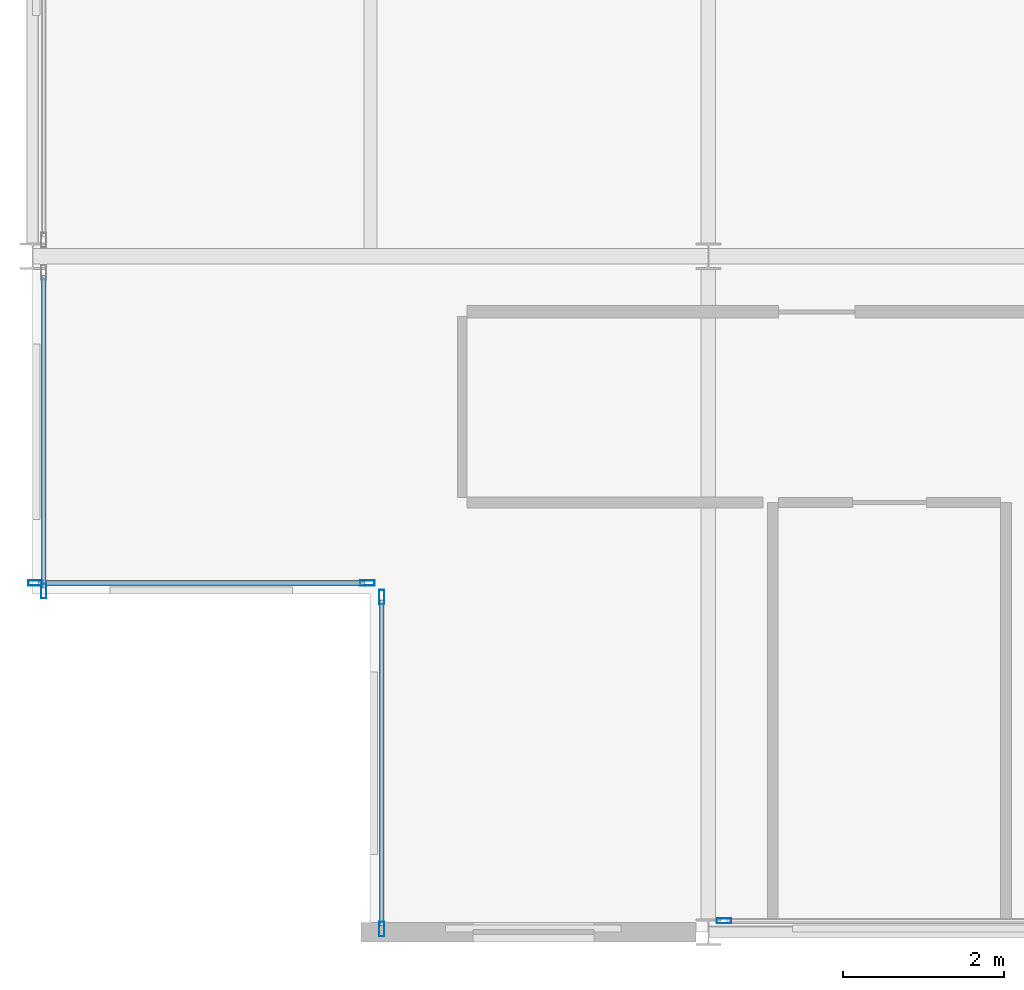
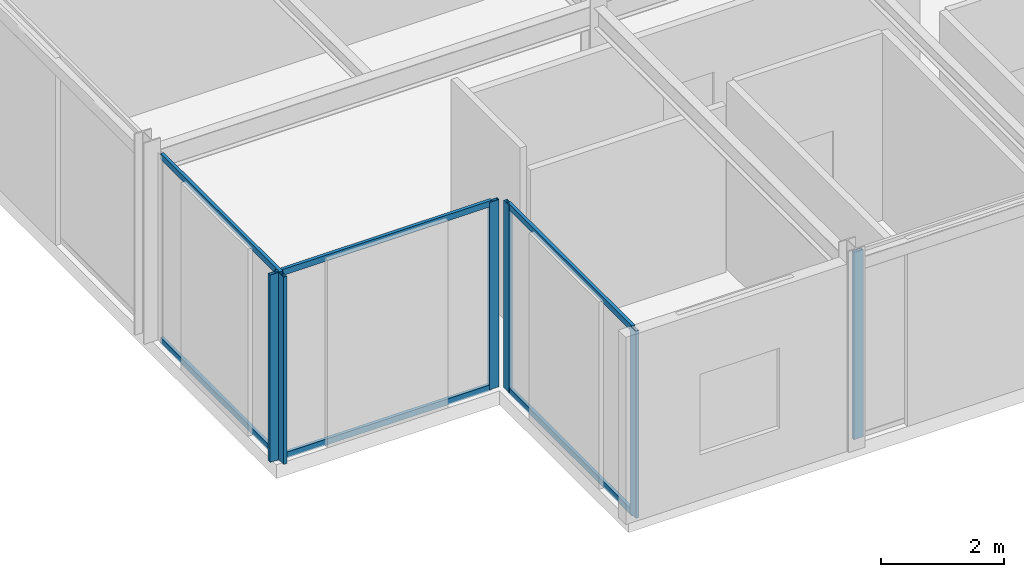
# One storey, part 3 of 24: 12 members, 4 elements without a shape of their own.
"""IFC4 building model written with IfcOpenShell, lengths in metres."""

from ifc_helpers import new_model, si_unit, direction, frame, origin, origin_2d, place, context, subcontext, project, spatial, hollow_rectangle, extrude, material, layer, layer_set, material_profile, profile_set, type_object, element, aggregate, save


model = new_model("IFC4")

# Units and contexts
model_context = context("Model", 3, precision=1e-05, world=origin(), true_north=direction((0.0, 1.0)))
body_context = subcontext(model_context, "Body", "Model", "MODEL_VIEW")
ifc_project = project(units=[si_unit("LENGTHUNIT", "METRE"), si_unit("AREAUNIT", "SQUARE_METRE"), si_unit("VOLUMEUNIT", "CUBIC_METRE"), si_unit("PLANEANGLEUNIT", "RADIAN"), si_unit("MASSUNIT", "GRAM", prefix="KILO")], contexts=[model_context])

# Site, building, storey
site_placement = place(None, origin())
site = spatial("IfcSite", under=ifc_project, at=site_placement, CompositionType="ELEMENT")
building_placement = place(site_placement, origin())
building = spatial("IfcBuilding", under=site, at=building_placement, Name="Nerrivon Quay Data Exchange", CompositionType="ELEMENT")
storey_placement = place(building_placement, frame((0.0, 0.0, 298.199951171875)))
storey = spatial("IfcBuildingStorey", under=building, at=storey_placement, Name="L71", CompositionType="ELEMENT", Elevation=298.199951171875)

# Curtain wall, member
ifc_material = material(Name="Anodised aluminium 6063-T6", Category="aluminium")
ifc_layer = layer(ifc_material, 0.195068359375)
ifc_layer_set = layer_set([ifc_layer], Name="Anodised aluminium 6063-T6")
curtain_wall_type = type_object("IfcCurtainWallType", Name="CW-SYS-06", PredefinedType="NOTDEFINED", material=ifc_layer_set)
curtain_wall_1_placement = place(storey_placement, origin())
curtain_wall_1 = element("IfcCurtainWall", 1, at=curtain_wall_1_placement, inside=storey, type_object=curtain_wall_type, Name="L71 Unitised Curtain Wall 4", PredefinedType="NOTDEFINED")
ifc_material_profile_1 = material_profile(ifc_material, hollow_rectangle(XDim=0.06494140625, YDim=0.179931640625, WallThickness=0.00341796875, at=origin_2d()), Name="ALU-MULL-180x65")
ifc_profile_set_1 = profile_set([ifc_material_profile_1], Name="Anodised aluminium 6063-T6")
member_type_1 = type_object("IfcMemberType", Name="CWM-180x65", PredefinedType="MULLION", material=ifc_profile_set_1)
member_1_placement = place(storey_placement, frame((8.593017578125, 0.139892578125, 0.0), z_axis=(0.0, 0.0, 1.0), x_axis=(0.0, -1.0, 0.0)))
member_1 = element("IfcMember", 2, at=member_1_placement, type_object=member_type_1, Name="CW06 mullion 2", PredefinedType="MULLION", context=body_context, shape_type="SweptSolid", body=[
    extrude(hollow_rectangle(XDim=0.06494140625, YDim=0.179931640625, WallThickness=0.00341796875, at=origin_2d()), origin(), (0.0, 0.0, 1.0), 3.72509765625),
])
aggregate(curtain_wall_1, [member_1])

# Curtain wall, members
curtain_wall_2_placement = place(storey_placement, origin())
curtain_wall_2 = element("IfcCurtainWall", 3, at=curtain_wall_2_placement, inside=storey, type_object=curtain_wall_type, Name="L71 Unitised Curtain Wall 6", PredefinedType="NOTDEFINED")
member_2_placement = place(storey_placement, frame((4.340087890625, 0.03759765625, 0.0), z_axis=(0.0, 0.0, 1.0), x_axis=(-1.0, 0.0, 0.0)))
member_2 = element("IfcMember", 4, at=member_2_placement, type_object=member_type_1, Name="CW06 mullion 1", PredefinedType="MULLION", context=body_context, shape_type="SweptSolid", body=[
    extrude(hollow_rectangle(XDim=0.06494140625, YDim=0.179931640625, WallThickness=0.00341796875, at=origin_2d()), origin(), (0.0, 0.0, 1.0), 3.72509765625),
])
member_3_placement = place(storey_placement, frame((4.340087890625, 4.16259765625, 0.0), z_axis=(0.0, 0.0, 1.0), x_axis=(-1.0, 0.0, 0.0)))
member_3 = element("IfcMember", 5, at=member_3_placement, type_object=member_type_1, Name="CW06 mullion 2", PredefinedType="MULLION", context=body_context, shape_type="SweptSolid", body=[
    extrude(hollow_rectangle(XDim=0.06494140625, YDim=0.179931640625, WallThickness=0.00341796875, at=origin_2d()), origin(), (0.0, 0.0, 1.0), 3.72509765625),
])

curtain_wall_3_placement = place(storey_placement, origin())
curtain_wall_3 = element("IfcCurtainWall", 6, at=curtain_wall_3_placement, inside=storey, type_object=curtain_wall_type, Name="L71 Unitised Curtain Wall 7", PredefinedType="NOTDEFINED")
member_4_placement = place(storey_placement, frame((4.16259765625, 4.340087890625, 0.0), z_axis=(0.0, 0.0, 1.0), x_axis=(0.0, -1.0, 0.0)))
member_4 = element("IfcMember", 7, at=member_4_placement, type_object=member_type_1, Name="CW06 mullion 1", PredefinedType="MULLION", context=body_context, shape_type="SweptSolid", body=[
    extrude(hollow_rectangle(XDim=0.06494140625, YDim=0.179931640625, WallThickness=0.00341796875, at=origin_2d()), origin(), (0.0, 0.0, 1.0), 3.72509765625),
])
member_5_placement = place(storey_placement, frame((0.03759765625, 4.340087890625, 0.0), z_axis=(0.0, 0.0, 1.0), x_axis=(0.0, -1.0, 0.0)))
member_5 = element("IfcMember", 8, at=member_5_placement, type_object=member_type_1, Name="CW06 mullion 2", PredefinedType="MULLION", context=body_context, shape_type="SweptSolid", body=[
    extrude(hollow_rectangle(XDim=0.06494140625, YDim=0.179931640625, WallThickness=0.00341796875, at=origin_2d()), origin(), (0.0, 0.0, 1.0), 3.72509765625),
])

# Curtain wall, member
curtain_wall_4_placement = place(storey_placement, origin())
curtain_wall_4 = element("IfcCurtainWall", 9, at=curtain_wall_4_placement, inside=storey, type_object=curtain_wall_type, Name="L71 Unitised Curtain Wall 8", PredefinedType="NOTDEFINED")
member_6_placement = place(storey_placement, frame((0.139892578125, 4.237548828125, 0.0), z_axis=(0.0, 0.0, 1.0), x_axis=(-1.0, 0.0, 0.0)))
member_6 = element("IfcMember", 10, at=member_6_placement, type_object=member_type_1, Name="CW06 mullion 1", PredefinedType="MULLION", context=body_context, shape_type="SweptSolid", body=[
    extrude(hollow_rectangle(XDim=0.06494140625, YDim=0.179931640625, WallThickness=0.00341796875, at=origin_2d()), origin(), (0.0, 0.0, 1.0), 3.72509765625),
])

# Member
ifc_material_profile_2 = material_profile(ifc_material, hollow_rectangle(XDim=0.06005859375, YDim=0.1201171875, WallThickness=0.003173828125, at=origin_2d()), Name="ALU-TRAN-120x60")
ifc_profile_set_2 = profile_set([ifc_material_profile_2], Name="Anodised aluminium 6063-T6")
member_type_2 = type_object("IfcMemberType", Name="CWT-120x60", PredefinedType="USERDEFINED", material=ifc_profile_set_2)
member_7_placement = place(storey_placement, frame((4.340087890625, 0.074951171875, 0.032470703125), z_axis=(0.0, 1.0, 0.0), x_axis=(-1.0, 0.0, 0.0)))
member_7 = element("IfcMember", 11, at=member_7_placement, type_object=member_type_2, Name="CW06 transom 1.1", ObjectType="TRANSOM", PredefinedType="USERDEFINED", context=body_context, shape_type="SweptSolid", body=[
    extrude(hollow_rectangle(XDim=0.06005859375, YDim=0.1201171875, WallThickness=0.003173828125, at=origin_2d()), origin(), (0.0, 0.0, 1.0), 4.050048828125),
])

member_8_placement = place(storey_placement, frame((4.340087890625, 0.074951171875, 3.692626953125), z_axis=(0.0, 1.0, 0.0), x_axis=(-1.0, 0.0, 0.0)))
member_8 = element("IfcMember", 12, at=member_8_placement, type_object=member_type_2, Name="CW06 transom 1.2", ObjectType="TRANSOM", PredefinedType="USERDEFINED", context=body_context, shape_type="SweptSolid", body=[
    extrude(hollow_rectangle(XDim=0.06005859375, YDim=0.1201171875, WallThickness=0.003173828125, at=origin_2d()), origin(), (0.0, 0.0, 1.0), 4.050048828125),
])

aggregate(curtain_wall_2, [member_2, member_3, member_7, member_8])

member_9_placement = place(storey_placement, frame((4.125, 4.340087890625, 0.032470703125), z_axis=(-1.0, 0.0, 0.0), x_axis=(0.0, -1.0, 0.0)))
member_9 = element("IfcMember", 13, at=member_9_placement, type_object=member_type_2, Name="CW06 transom 1.1", ObjectType="TRANSOM", PredefinedType="USERDEFINED", context=body_context, shape_type="SweptSolid", body=[
    extrude(hollow_rectangle(XDim=0.06005859375, YDim=0.1201171875, WallThickness=0.003173828125, at=origin_2d()), origin(), (0.0, 0.0, 1.0), 4.050048828125),
])

member_10_placement = place(storey_placement, frame((4.125, 4.340087890625, 3.692626953125), z_axis=(-1.0, 0.0, 0.0), x_axis=(0.0, -1.0, 0.0)))
member_10 = element("IfcMember", 14, at=member_10_placement, type_object=member_type_2, Name="CW06 transom 1.2", ObjectType="TRANSOM", PredefinedType="USERDEFINED", context=body_context, shape_type="SweptSolid", body=[
    extrude(hollow_rectangle(XDim=0.06005859375, YDim=0.1201171875, WallThickness=0.003173828125, at=origin_2d()), origin(), (0.0, 0.0, 1.0), 4.050048828125),
])

aggregate(curtain_wall_3, [member_4, member_5, member_9, member_10])

member_11_placement = place(storey_placement, frame((0.139892578125, 4.27490234375, 0.032470703125), z_axis=(0.0, 1.0, 0.0), x_axis=(-1.0, 0.0, 0.0)))
member_11 = element("IfcMember", 15, at=member_11_placement, type_object=member_type_2, Name="CW06 transom 1.1", ObjectType="TRANSOM", PredefinedType="USERDEFINED", context=body_context, shape_type="SweptSolid", body=[
    extrude(hollow_rectangle(XDim=0.06005859375, YDim=0.1201171875, WallThickness=0.003173828125, at=origin_2d()), origin(), (0.0, 0.0, 1.0), 3.88671875),
])

member_12_placement = place(storey_placement, frame((0.139892578125, 4.27490234375, 3.692626953125), z_axis=(0.0, 1.0, 0.0), x_axis=(-1.0, 0.0, 0.0)))
member_12 = element("IfcMember", 16, at=member_12_placement, type_object=member_type_2, Name="CW06 transom 1.2", ObjectType="TRANSOM", PredefinedType="USERDEFINED", context=body_context, shape_type="SweptSolid", body=[
    extrude(hollow_rectangle(XDim=0.06005859375, YDim=0.1201171875, WallThickness=0.003173828125, at=origin_2d()), origin(), (0.0, 0.0, 1.0), 3.88671875),
])

aggregate(curtain_wall_4, [member_6, member_11, member_12])

save(model, "model.ifc")
